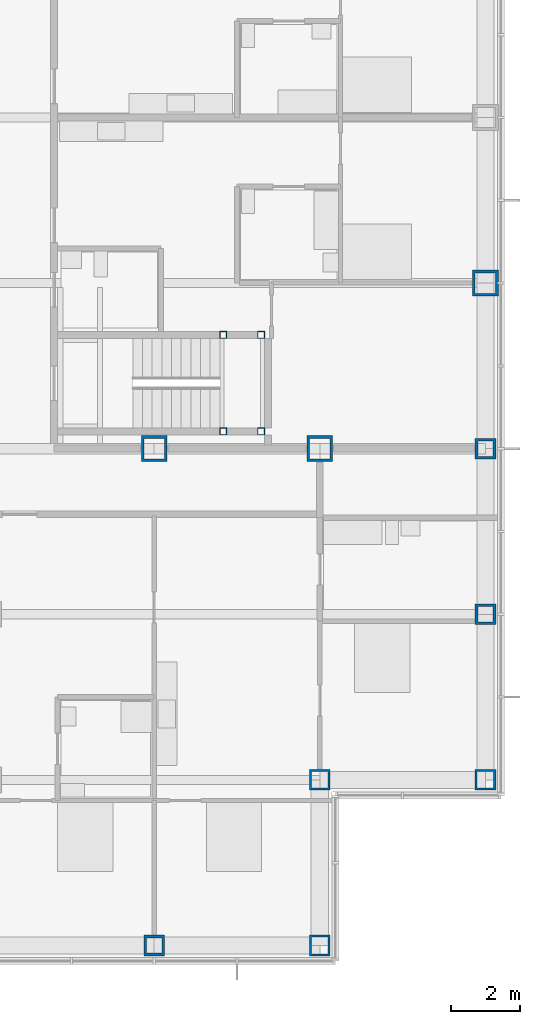
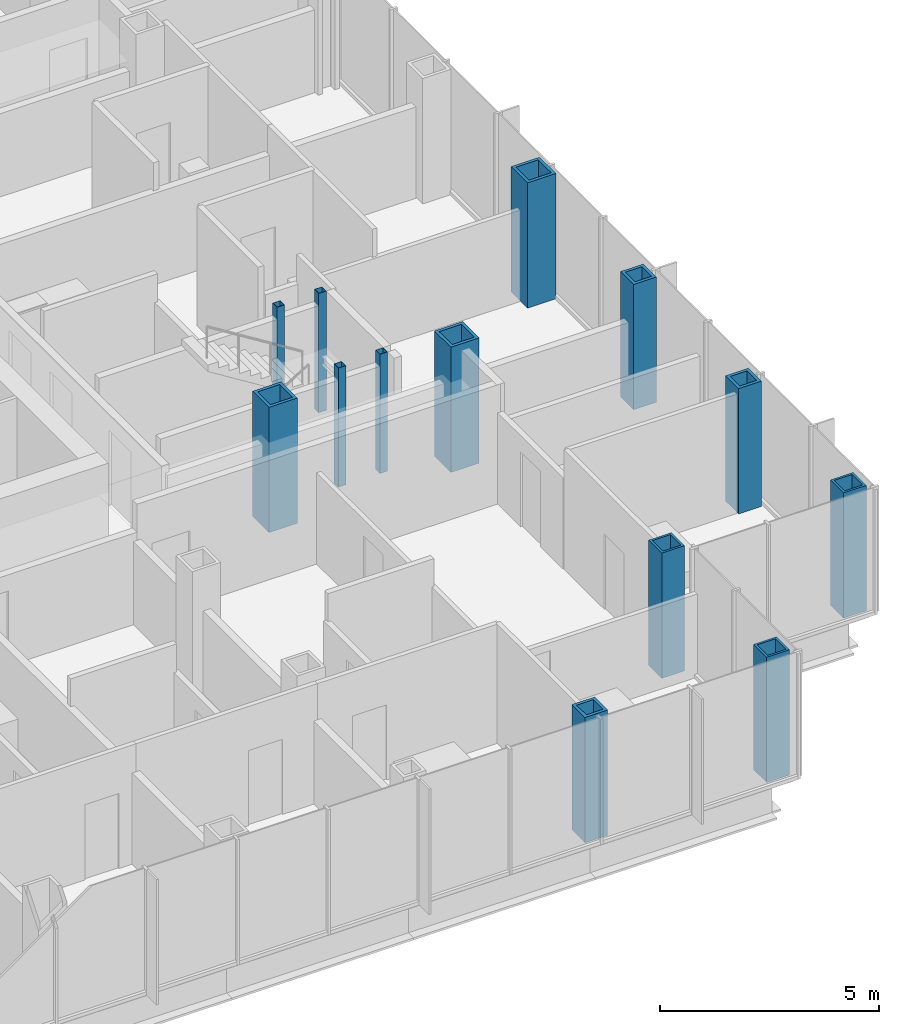
# One storey, part 4 of 21: 13 columns.
"""IFC4 building model written with IfcOpenShell, lengths in metres."""

from ifc_helpers import new_model, si_unit, direction, frame, origin, origin_2d, place, context, subcontext, project, spatial, hollow_rectangle, extrude, material, material_profile, profile_set, type_object, element, save


model = new_model("IFC4")

# Units and contexts
model_context = context("Model", 3, precision=1e-05, world=origin(), true_north=direction((0.0, 1.0)))
body_context = subcontext(model_context, "Body", "Model", "MODEL_VIEW")
ifc_project = project(units=[si_unit("LENGTHUNIT", "METRE"), si_unit("AREAUNIT", "SQUARE_METRE"), si_unit("VOLUMEUNIT", "CUBIC_METRE"), si_unit("PLANEANGLEUNIT", "RADIAN"), si_unit("MASSUNIT", "GRAM", prefix="KILO")], contexts=[model_context])

# Site, building, storey
site_placement = place(None, origin())
site = spatial("IfcSite", under=ifc_project, at=site_placement, CompositionType="ELEMENT")
building_placement = place(site_placement, origin())
building = spatial("IfcBuilding", under=site, at=building_placement, Name="Kvirike Care Tower", CompositionType="ELEMENT")
storey_placement = place(building_placement, frame((0.0, 0.0, 48.0)))
storey = spatial("IfcBuildingStorey", under=building, at=storey_placement, Name="L12", CompositionType="ELEMENT", Elevation=48.0)

# Columns
ifc_material_1 = material(Name="Steel S460", Category="steel")
ifc_material_profile_1 = material_profile(ifc_material_1, hollow_rectangle(XDim=0.60009765625, YDim=0.60009765625, WallThickness=0.06005859375, at=origin_2d()), Name="BX 600x600x60")
ifc_profile_set_1 = profile_set([ifc_material_profile_1], Name="Steel S460")
column_type_1 = type_object("IfcColumnType", Name="COLUMN BX 600x600x60", PredefinedType="COLUMN", material=ifc_profile_set_1)
for number, where, z_axis, x_axis, name in (
    (1, (38.39990234375, 14.39990234375, 0.0), (0.0, 0.0, 1.0), (0.0, 1.0, 0.0), "Column D11 L12"),
    (2, (38.39990234375, 19.199951171875, 0.0), (0.0, 0.0, 1.0), (0.0, 1.0, 0.0), "Column E11 L12"),
    (3, (43.199951171875, 19.199951171875, 0.0), (0.0, 0.0, 1.0), (0.0, 1.0, 0.0), "Column E12 L12"),
):
    element("IfcColumn", number, at=place(storey_placement, frame(where, z_axis=z_axis, x_axis=x_axis)), inside=storey, type_object=column_type_1, Name=name, PredefinedType="COLUMN", context=body_context, shape_type="SweptSolid", body=[
        extrude(hollow_rectangle(XDim=0.60009765625, YDim=0.60009765625, WallThickness=0.06005859375, at=origin_2d()), origin(), (0.0, 0.0, 1.0), 3.5),
    ])
ifc_material_2 = material(Name="Steel S460", Category="steel")
ifc_material_profile_2 = material_profile(ifc_material_2, hollow_rectangle(XDim=0.60009765625, YDim=0.60009765625, WallThickness=0.080078125, at=origin_2d()), Name="BX 600x600x80")
ifc_profile_set_2 = profile_set([ifc_material_profile_2], Name="Steel S460")
column_type_2 = type_object("IfcColumnType", Name="COLUMN BX 600x600x80", PredefinedType="COLUMN", material=ifc_profile_set_2)
for number, where, z_axis, x_axis, name in (
    (4, (33.60009765625, 14.39990234375, 0.0), (0.0, 0.0, 1.0), (0.0, 1.0, 0.0), "Column D10 L12"),
    (5, (43.199951171875, 24.0, 0.0), (0.0, 0.0, 1.0), (1.0, 0.0, 0.0), "Column F12 L12"),
    (6, (43.199951171875, 28.800048828125, 0.0), (0.0, 0.0, 1.0), (0.0, 1.0, 0.0), "Column G12 L12"),
):
    element("IfcColumn", number, at=place(storey_placement, frame(where, z_axis=z_axis, x_axis=x_axis)), inside=storey, type_object=column_type_2, Name=name, PredefinedType="COLUMN", context=body_context, shape_type="SweptSolid", body=[
        extrude(hollow_rectangle(XDim=0.60009765625, YDim=0.60009765625, WallThickness=0.080078125, at=origin_2d()), origin(), (0.0, 0.0, 1.0), 3.5),
    ])
ifc_material_3 = material(Name="Steel S460", Category="steel")
ifc_material_profile_3 = material_profile(ifc_material_3, hollow_rectangle(XDim=0.75, YDim=0.75, WallThickness=0.080078125, at=origin_2d()), Name="BX 750x750x80")
ifc_profile_set_3 = profile_set([ifc_material_profile_3], Name="Steel S460")
column_type_3 = type_object("IfcColumnType", Name="COLUMN BX 750x750x80", PredefinedType="COLUMN", material=ifc_profile_set_3)
for number, where, z_axis, x_axis, name in (
    (7, (33.60009765625, 28.800048828125, 0.0), (0.0, 0.0, 1.0), (0.0, 1.0, 0.0), "Column G10 L12"),
    (8, (38.39990234375, 28.800048828125, 0.0), (0.0, 0.0, 1.0), (0.0, 1.0, 0.0), "Column G11 L12"),
    (9, (43.199951171875, 33.60009765625, 0.0), (0.0, 0.0, 1.0), (1.0, 0.0, 0.0), "Column H12 L12"),
):
    element("IfcColumn", number, at=place(storey_placement, frame(where, z_axis=z_axis, x_axis=x_axis)), inside=storey, type_object=column_type_3, Name=name, PredefinedType="COLUMN", context=body_context, shape_type="SweptSolid", body=[
        extrude(hollow_rectangle(XDim=0.75, YDim=0.75, WallThickness=0.080078125, at=origin_2d()), origin(), (0.0, 0.0, 1.0), 3.5),
    ])
ifc_material_4 = material(Name="Steel S460", Category="steel")
ifc_material_profile_4 = material_profile(ifc_material_4, hollow_rectangle(XDim=0.199951171875, YDim=0.199951171875, WallThickness=0.008056640625, at=origin_2d()), Name="SHS 200x200x8")
ifc_profile_set_4 = profile_set([ifc_material_profile_4], Name="Steel S460")
column_type_4 = type_object("IfcColumnType", Name="STAIR POST SHS 200x200x8", PredefinedType="COLUMN", material=ifc_profile_set_4)
for number, where, z_axis, x_axis, name in (
    (10, (36.699951171875, 29.300048828125, 0.0), (0.0, 0.0, 1.0), (1.0, 0.0, 0.0), "Stair 2 post 1 L12"),
    (11, (36.699951171875, 32.10009765625, 0.0), (0.0, 0.0, 1.0), (1.0, 0.0, 0.0), "Stair 2 post 2 L12"),
    (12, (35.60009765625, 29.300048828125, 0.0), (0.0, 0.0, 1.0), (1.0, 0.0, 0.0), "Stair 2 post 3 L12"),
    (13, (35.60009765625, 32.10009765625, 0.0), (0.0, 0.0, 1.0), (1.0, 0.0, 0.0), "Stair 2 post 4 L12"),
):
    element("IfcColumn", number, at=place(storey_placement, frame(where, z_axis=z_axis, x_axis=x_axis)), inside=storey, type_object=column_type_4, Name=name, PredefinedType="COLUMN", context=body_context, shape_type="SweptSolid", body=[
        extrude(hollow_rectangle(XDim=0.199951171875, YDim=0.199951171875, WallThickness=0.008056640625, at=origin_2d()), origin(), (0.0, 0.0, 1.0), 3.330078125),
    ])

save(model, "model.ifc")
